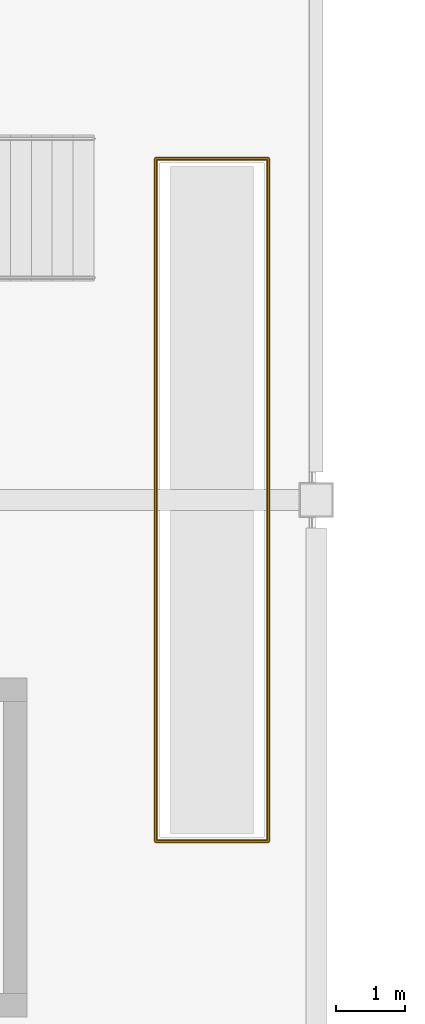
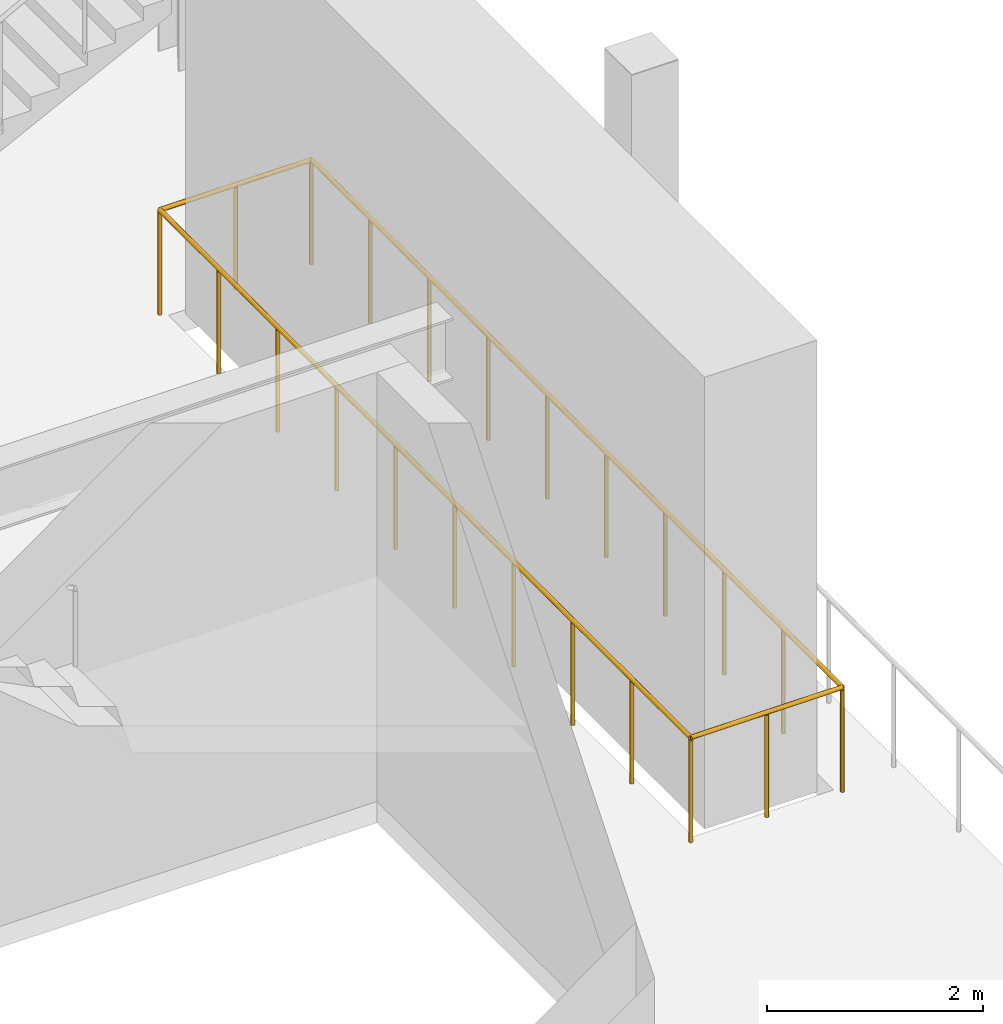
# One storey, part 91 of 104: 1 railing.
"""IFC4 building model written with IfcOpenShell, lengths in metres."""

from ifc_helpers import new_model, si_unit, direction, frame, origin, origin_2d, place, context, subcontext, project, spatial, circle, extrude, material, type_object, element, save


model = new_model("IFC4")

# Units and contexts
model_context = context("Model", 3, precision=1e-05, world=origin(), true_north=direction((0.0, 1.0)))
body_context = subcontext(model_context, "Body", "Model", "MODEL_VIEW")
ifc_project = project(units=[si_unit("LENGTHUNIT", "METRE"), si_unit("AREAUNIT", "SQUARE_METRE"), si_unit("VOLUMEUNIT", "CUBIC_METRE"), si_unit("PLANEANGLEUNIT", "RADIAN"), si_unit("MASSUNIT", "GRAM", prefix="KILO"), si_unit("THERMODYNAMICTEMPERATUREUNIT", "KELVIN")], contexts=[model_context])

# Site, building, storey
site_placement = place(None, origin())
site = spatial("IfcSite", under=ifc_project, at=site_placement, CompositionType="ELEMENT")
building_placement = place(site_placement, origin())
building = spatial("IfcBuilding", under=site, at=building_placement, Name="Lustrewick Department Store", CompositionType="ELEMENT")
storey_placement = place(building_placement, frame((0.0, 0.0, 11.39990234375)))
storey = spatial("IfcBuildingStorey", under=building, at=storey_placement, Name="L03", CompositionType="ELEMENT", Elevation=11.39990234375)

# Railing
ifc_material = material(Name="Laminated safety glass and bronze atrium balustrade", Category="glass")
railing_type = type_object("IfcRailingType", Name="RL-BAL", PredefinedType="BALUSTRADE", material=ifc_material)
railing_placement = place(storey_placement, frame((73.2900390625, 62.2900390625, 0.0)))
element("IfcRailing", 1, at=railing_placement, inside=storey, type_object=railing_type, Name="L03 V2 Escalator Well Balustrade 0028", PredefinedType="BALUSTRADE", context=body_context, shape_type="SweptSolid", body=[
    extrude(circle(Radius=0.02392578125, at=origin_2d()), frame((0.0, 0.0, 1.17578125), z_axis=(0.0, 1.0, 0.0), x_axis=(-1.0, 0.0, 0.0)), (0.0, 0.0, 1.0), 9.820068359375),
    extrude(circle(Radius=0.02392578125, at=origin_2d()), frame((0.0, 9.820068359375, 1.17578125), z_axis=(1.0, 0.0, 0.0), x_axis=(0.0, 1.0, 0.0)), (0.0, 0.0, 1.0), 1.619873046875),
    extrude(circle(Radius=0.02392578125, at=origin_2d()), frame((1.619873046875, 9.820068359375, 1.17578125), z_axis=(0.0, -1.0, 0.0), x_axis=(1.0, 0.0, 0.0)), (0.0, 0.0, 1.0), 9.820068359375),
    extrude(circle(Radius=0.02392578125, at=origin_2d()), frame((1.619873046875, 0.0, 1.17578125), z_axis=(-1.0, 0.0, 0.0), x_axis=(0.0, -1.0, 0.0)), (0.0, 0.0, 1.0), 1.619873046875),
    extrude(circle(Radius=0.02099609375, at=origin_2d()), origin(), (0.0, 0.0, 1.0), 1.15185546875),
    extrude(circle(Radius=0.02099609375, at=origin_2d()), frame((0.0, 1.091064453125, 0.0)), (0.0, 0.0, 1.0), 1.15185546875),
    extrude(circle(Radius=0.02099609375, at=origin_2d()), frame((0.0, 2.18212890625, 0.0)), (0.0, 0.0, 1.0), 1.15185546875),
    extrude(circle(Radius=0.02099609375, at=origin_2d()), frame((0.0, 3.2734375, 0.0)), (0.0, 0.0, 1.0), 1.15185546875),
    extrude(circle(Radius=0.02099609375, at=origin_2d()), frame((0.0, 4.364501953125, 0.0)), (0.0, 0.0, 1.0), 1.15185546875),
    extrude(circle(Radius=0.02099609375, at=origin_2d()), frame((0.0, 5.45556640625, 0.0)), (0.0, 0.0, 1.0), 1.15185546875),
    extrude(circle(Radius=0.02099609375, at=origin_2d()), frame((0.0, 6.546630859375, 0.0)), (0.0, 0.0, 1.0), 1.15185546875),
    extrude(circle(Radius=0.02099609375, at=origin_2d()), frame((0.0, 7.637939453125, 0.0)), (0.0, 0.0, 1.0), 1.15185546875),
    extrude(circle(Radius=0.02099609375, at=origin_2d()), frame((0.0, 8.72900390625, 0.0)), (0.0, 0.0, 1.0), 1.15185546875),
    extrude(circle(Radius=0.02099609375, at=origin_2d()), frame((0.0, 9.820068359375, 0.0)), (0.0, 0.0, 1.0), 1.15185546875),
    extrude(circle(Radius=0.02099609375, at=origin_2d()), frame((0.81005859375, 9.820068359375, 0.0)), (0.0, 0.0, 1.0), 1.15185546875),
    extrude(circle(Radius=0.02099609375, at=origin_2d()), frame((1.619873046875, 9.820068359375, 0.0)), (0.0, 0.0, 1.0), 1.15185546875),
    extrude(circle(Radius=0.02099609375, at=origin_2d()), frame((1.619873046875, 8.72900390625, 0.0)), (0.0, 0.0, 1.0), 1.15185546875),
    extrude(circle(Radius=0.02099609375, at=origin_2d()), frame((1.619873046875, 7.637939453125, 0.0)), (0.0, 0.0, 1.0), 1.15185546875),
    extrude(circle(Radius=0.02099609375, at=origin_2d()), frame((1.619873046875, 6.546630859375, 0.0)), (0.0, 0.0, 1.0), 1.15185546875),
    extrude(circle(Radius=0.02099609375, at=origin_2d()), frame((1.619873046875, 5.45556640625, 0.0)), (0.0, 0.0, 1.0), 1.15185546875),
    extrude(circle(Radius=0.02099609375, at=origin_2d()), frame((1.619873046875, 4.364501953125, 0.0)), (0.0, 0.0, 1.0), 1.15185546875),
    extrude(circle(Radius=0.02099609375, at=origin_2d()), frame((1.619873046875, 3.2734375, 0.0)), (0.0, 0.0, 1.0), 1.15185546875),
    extrude(circle(Radius=0.02099609375, at=origin_2d()), frame((1.619873046875, 2.18212890625, 0.0)), (0.0, 0.0, 1.0), 1.15185546875),
    extrude(circle(Radius=0.02099609375, at=origin_2d()), frame((1.619873046875, 1.091064453125, 0.0)), (0.0, 0.0, 1.0), 1.15185546875),
    extrude(circle(Radius=0.02099609375, at=origin_2d()), frame((1.619873046875, 0.0, 0.0)), (0.0, 0.0, 1.0), 1.15185546875),
    extrude(circle(Radius=0.02099609375, at=origin_2d()), frame((0.81005859375, 0.0, 0.0)), (0.0, 0.0, 1.0), 1.15185546875),
])

save(model, "model.ifc")
